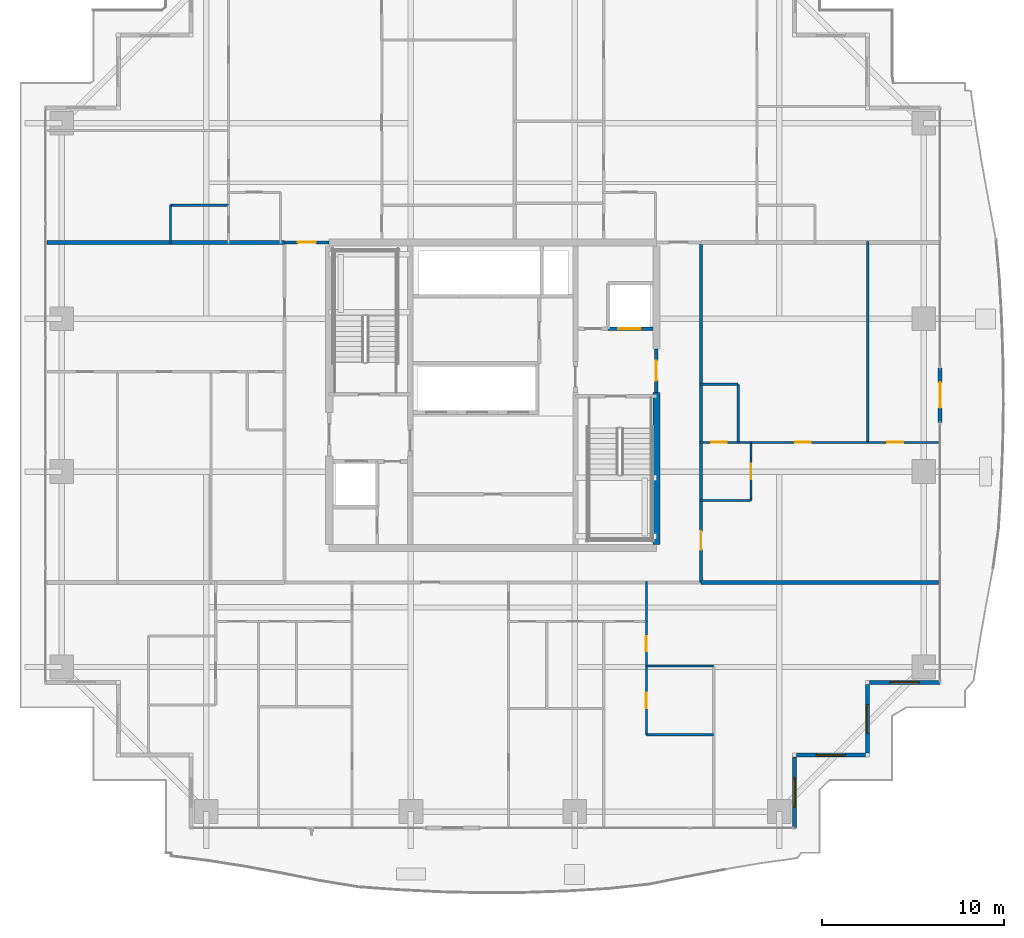
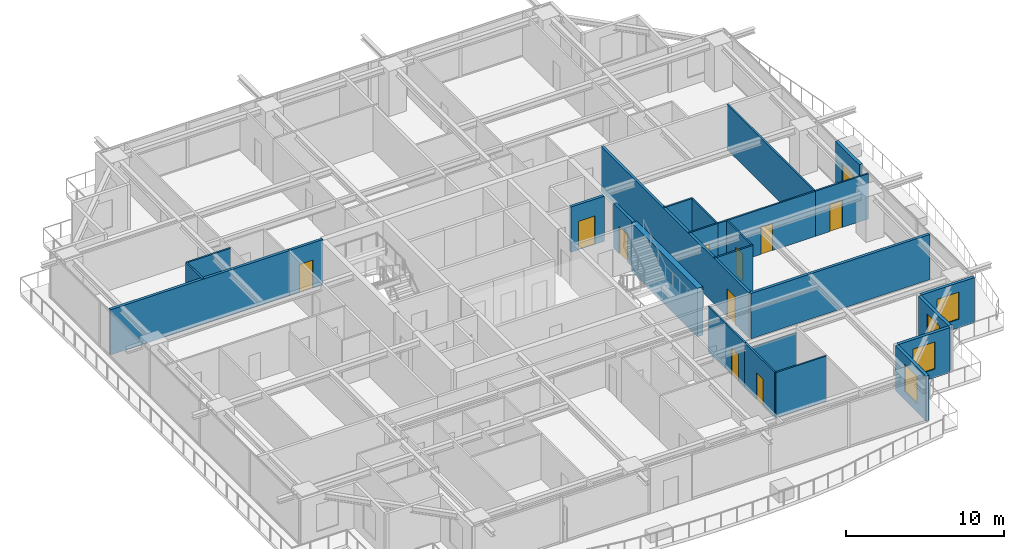
# One storey, part 28 of 36: 27 walls, 11 doors, 4 windows, 15 openings.
"""IFC4 building model written with IfcOpenShell, lengths in metres."""

from ifc_helpers import new_model, si_unit, direction, frame, frame_2d, origin, place, context, subcontext, project, spatial, rectangle, extrude, source, transform, mapped, material, layer, layer_set, type_object, element, fill, save


model = new_model("IFC4")

# Units and contexts
model_context = context("Model", 3, precision=1e-05, world=origin(), true_north=direction((0.0, 1.0)))
body_context = subcontext(model_context, "Body", "Model", "MODEL_VIEW")
ifc_project = project(units=[si_unit("LENGTHUNIT", "METRE"), si_unit("AREAUNIT", "SQUARE_METRE"), si_unit("VOLUMEUNIT", "CUBIC_METRE"), si_unit("PLANEANGLEUNIT", "RADIAN"), si_unit("MASSUNIT", "GRAM", prefix="KILO")], contexts=[model_context])

# Site, building, storey
site_placement = place(None, origin())
site = spatial("IfcSite", under=ifc_project, at=site_placement, CompositionType="ELEMENT")
building_placement = place(site_placement, origin())
building = spatial("IfcBuilding", under=site, at=building_placement, Name="Serunith Strait Residences", CompositionType="ELEMENT")
storey_placement = place(building_placement, frame((0.0, 0.0, 146.39990234375)))
storey = spatial("IfcBuildingStorey", under=building, at=storey_placement, Name="L36", CompositionType="ELEMENT", Elevation=146.39990234375)

# Wall, opening, window
ifc_material_1 = material(Name="Pale-Champagne Aluminium Insulated Panel", Category="aluminium")
ifc_layer_1 = layer(ifc_material_1, 0.219970703125, Name="Pale-Champagne Aluminium Insulated Panel")
ifc_layer_set_1 = layer_set([ifc_layer_1], Name="Pale-Champagne Aluminium Insulated Panel")
wall_type_1 = type_object("IfcWallType", Name="EW-ALUM-220", PredefinedType="ELEMENTEDWALL", material=ifc_layer_set_1)
wall_1_placement = place(storey_placement, frame((49.0, 1.39990234375, 0.0), z_axis=(0.0, 0.0, 1.0), x_axis=(0.0, 1.0, 0.0)))
wall_1 = element("IfcWall", 1, at=wall_1_placement, inside=storey, type_object=wall_type_1, Name="L36 Girih Serrated Corner Wall 02", PredefinedType="ELEMENTEDWALL", context=body_context, shape_type="SweptSolid", body=[
    extrude(rectangle(XDim=3.89013671875, YDim=0.219970703125, at=frame_2d((1.945068359375, 0.0))), origin(), (0.0, 0.0, 1.0), 3.47509765625),
])
opening_1_placement = place(wall_1_placement, frame((1.14501953125, 0.0, 0.64990234375)))
opening_1 = element("IfcOpeningElement", 2, at=opening_1_placement, cuts=wall_1, Name="Opening W-02", PredefinedType="OPENING", context=body_context, shape_type="SweptSolid", body=[
    extrude(rectangle(XDim=1.60009765625, YDim=2.10009765625, at=frame_2d((0.800048828125, 1.050048828125))), frame((0.0, 0.1201171875, 0.0), z_axis=(0.0, -1.0, 0.0), x_axis=(1.0, 0.0, 0.0)), (0.0, 0.0, 1.0), 0.239990234375),
])
ifc_material_2 = material(Name="Ceramic-Fritted Operable Aluminium Window Glass", Category="aluminium")
window_type = type_object("IfcWindowType", Name="WIN-C2", PartitioningType="DOUBLE_PANEL_VERTICAL", PredefinedType="WINDOW", material=ifc_material_2)
shared_shape_1 = source(origin(), body_context, "Body", "SweptSolid", [
    extrude(rectangle(XDim=1.60009765625, YDim=2.10009765625, at=frame_2d((0.800048828125, 1.050048828125))), frame((0.0, 0.030029296875, 0.0), z_axis=(0.0, -1.0, 0.0), x_axis=(1.0, 0.0, 0.0)), (0.0, 0.0, 1.0), 0.06005859375),
])
window_1_placement = place(opening_1_placement, origin())
window_1 = element("IfcWindow", 3, at=window_1_placement, inside=storey, type_object=window_type, Name="L36 Corner Operable Fritted Window 02", OverallHeight=2.10009765625, OverallWidth=1.60009765625, PartitioningType="SINGLE_PANEL", PredefinedType="WINDOW", context=body_context, shape_type="MappedRepresentation", body=[
    mapped(shared_shape_1, transform((0.0, 0.0, 0.0), scale=1.0)),
])
fill(opening_1, window_1)

wall_2_placement = place(storey_placement, frame((49.110107421875, 5.39990234375, 0.0), z_axis=(0.0, 0.0, 1.0), x_axis=(1.0, 0.0, 0.0)))
wall_2 = element("IfcWall", 4, at=wall_2_placement, inside=storey, type_object=wall_type_1, Name="L36 Girih Serrated Corner Wall 03", PredefinedType="ELEMENTEDWALL", context=body_context, shape_type="SweptSolid", body=[
    extrude(rectangle(XDim=3.77978515625, YDim=0.219970703125, at=frame_2d((1.889892578125, 0.0))), origin(), (0.0, 0.0, 1.0), 3.47509765625),
])
opening_2_placement = place(wall_2_placement, frame((1.090087890625, 0.0, 0.64990234375)))
opening_2 = element("IfcOpeningElement", 5, at=opening_2_placement, cuts=wall_2, Name="Opening W-02", PredefinedType="OPENING", context=body_context, shape_type="SweptSolid", body=[
    extrude(rectangle(XDim=1.60009765625, YDim=2.10009765625, at=frame_2d((0.800048828125, 1.050048828125))), frame((0.0, 0.1201171875, 0.0), z_axis=(0.0, -1.0, 0.0), x_axis=(1.0, 0.0, 0.0)), (0.0, 0.0, 1.0), 0.239990234375),
])
window_2_placement = place(opening_2_placement, origin())
window_2 = element("IfcWindow", 6, at=window_2_placement, inside=storey, type_object=window_type, Name="L36 Corner Operable Fritted Window 03", OverallHeight=2.10009765625, OverallWidth=1.60009765625, PartitioningType="SINGLE_PANEL", PredefinedType="WINDOW", context=body_context, shape_type="MappedRepresentation", body=[
    mapped(shared_shape_1, transform((0.0, 0.0, 0.0), scale=1.0)),
])
fill(opening_2, window_2)

wall_3_placement = place(storey_placement, frame((53.0, 5.510009765625, 0.0), z_axis=(0.0, 0.0, 1.0), x_axis=(0.0, 1.0, 0.0)))
wall_3 = element("IfcWall", 7, at=wall_3_placement, inside=storey, type_object=wall_type_1, Name="L36 Girih Serrated Corner Wall 04", PredefinedType="ELEMENTEDWALL", context=body_context, shape_type="SweptSolid", body=[
    extrude(rectangle(XDim=3.780029296875, YDim=0.219970703125, at=frame_2d((1.89013671875, 0.0))), origin(), (0.0, 0.0, 1.0), 3.47509765625),
])
opening_3_placement = place(wall_3_placement, frame((1.090087890625, 0.0, 0.64990234375)))
opening_3 = element("IfcOpeningElement", 8, at=opening_3_placement, cuts=wall_3, Name="Opening W-02", PredefinedType="OPENING", context=body_context, shape_type="SweptSolid", body=[
    extrude(rectangle(XDim=1.60009765625, YDim=2.10009765625, at=frame_2d((0.800048828125, 1.050048828125))), frame((0.0, 0.1201171875, 0.0), z_axis=(0.0, -1.0, 0.0), x_axis=(1.0, 0.0, 0.0)), (0.0, 0.0, 1.0), 0.239990234375),
])
window_3_placement = place(opening_3_placement, origin())
window_3 = element("IfcWindow", 9, at=window_3_placement, inside=storey, type_object=window_type, Name="L36 Corner Operable Fritted Window 04", OverallHeight=2.10009765625, OverallWidth=1.60009765625, PartitioningType="SINGLE_PANEL", PredefinedType="WINDOW", context=body_context, shape_type="MappedRepresentation", body=[
    mapped(shared_shape_1, transform((0.0, 0.0, 0.0), scale=1.0)),
])
fill(opening_3, window_3)

wall_4_placement = place(storey_placement, frame((53.110107421875, 9.39990234375, 0.0), z_axis=(0.0, 0.0, 1.0), x_axis=(1.0, 0.0, 0.0)))
wall_4 = element("IfcWall", 10, at=wall_4_placement, inside=storey, type_object=wall_type_1, Name="L36 Girih Serrated Corner Wall 05", PredefinedType="ELEMENTEDWALL", context=body_context, shape_type="SweptSolid", body=[
    extrude(rectangle(XDim=3.889892578125, YDim=0.219970703125, at=frame_2d((1.94482421875, 0.0))), origin(), (0.0, 0.0, 1.0), 3.47509765625),
])
opening_4_placement = place(wall_4_placement, frame((1.14501953125, 0.0, 0.64990234375)))
opening_4 = element("IfcOpeningElement", 11, at=opening_4_placement, cuts=wall_4, Name="Opening W-02", PredefinedType="OPENING", context=body_context, shape_type="SweptSolid", body=[
    extrude(rectangle(XDim=1.60009765625, YDim=2.10009765625, at=frame_2d((0.800048828125, 1.050048828125))), frame((0.0, 0.1201171875, 0.0), z_axis=(0.0, -1.0, 0.0), x_axis=(1.0, 0.0, 0.0)), (0.0, 0.0, 1.0), 0.239990234375),
])
window_4_placement = place(opening_4_placement, origin())
window_4 = element("IfcWindow", 12, at=window_4_placement, inside=storey, type_object=window_type, Name="L36 Corner Operable Fritted Window 05", OverallHeight=2.10009765625, OverallWidth=1.60009765625, PartitioningType="SINGLE_PANEL", PredefinedType="WINDOW", context=body_context, shape_type="MappedRepresentation", body=[
    mapped(shared_shape_1, transform((0.0, 0.0, 0.0), scale=1.0)),
])
fill(opening_4, window_4)

# Wall, opening, door
wall_5_placement = place(storey_placement, frame((57.0, 23.699951171875, 0.0), z_axis=(0.0, 0.0, 1.0), x_axis=(0.0, 1.0, 0.0)))
wall_5 = element("IfcWall", 13, at=wall_5_placement, inside=storey, type_object=wall_type_1, Name="L36 E Facade Pier Wall", PredefinedType="ELEMENTEDWALL", context=body_context, shape_type="SweptSolid", body=[
    extrude(rectangle(XDim=3.0, YDim=0.219970703125, at=frame_2d((1.5, 0.0))), origin(), (0.0, 0.0, 1.0), 3.47509765625),
])
opening_5_placement = place(wall_5_placement, frame((0.800048828125, 0.0, 0.0)))
opening_5 = element("IfcOpeningElement", 14, at=opening_5_placement, cuts=wall_5, Name="Opening ED-04", PredefinedType="OPENING", context=body_context, shape_type="SweptSolid", body=[
    extrude(rectangle(XDim=1.39990234375, YDim=2.25, at=frame_2d((0.699951171875, 1.125))), frame((0.0, 0.1201171875, 0.0), z_axis=(0.0, -1.0, 0.0), x_axis=(1.0, 0.0, 0.0)), (0.0, 0.0, 1.0), 0.239990234375),
])
ifc_material_3 = material(Name="Thermally-Broken Aluminium Sliding Balcony Door", Category="aluminium")
door_type_1 = type_object("IfcDoorType", Name="ED-BALC-1400", OperationType="NOTDEFINED", PredefinedType="DOOR", material=ifc_material_3)
shared_shape_2 = source(origin(), body_context, "Body", "SweptSolid", [
    extrude(rectangle(XDim=1.39990234375, YDim=2.25, at=frame_2d((0.699951171875, 1.125))), frame((0.0, 0.02490234375, 0.0), z_axis=(0.0, -1.0, 0.0), x_axis=(1.0, 0.0, 0.0)), (0.0, 0.0, 1.0), 0.050048828125),
])
door_1_placement = place(opening_5_placement, origin())
door_1 = element("IfcDoor", 15, at=door_1_placement, inside=storey, type_object=door_type_1, Name="L36 E Vertical-Forest Balcony Door", OperationType="SLIDING_TO_LEFT", OverallHeight=2.25, OverallWidth=1.39990234375, PredefinedType="DOOR", context=body_context, shape_type="MappedRepresentation", body=[
    mapped(shared_shape_2, transform((0.0, 0.0, 0.0), scale=1.0)),
])
fill(opening_5, door_1)

ifc_material_4 = material(Name="Fire-rated acoustic gypsum partition")
ifc_layer_2 = layer(ifc_material_4, 0.179931640625, Name="Fire-rated acoustic gypsum partition")
ifc_layer_set_2 = layer_set([ifc_layer_2], Name="Fire-rated acoustic gypsum partition")
wall_type_2 = type_object("IfcWallType", Name="IW-CORR-180", PredefinedType="PARTITIONING", material=ifc_layer_set_2)
wall_6_placement = place(storey_placement, frame((43.85009765625, 14.89990234375, 0.0), z_axis=(0.0, 0.0, 1.0), x_axis=(0.0, 1.0, 0.0)))
wall_6 = element("IfcWall", 16, at=wall_6_placement, inside=storey, type_object=wall_type_2, Name="L36 Partition Wall 022", PredefinedType="PARTITIONING", context=body_context, shape_type="SweptSolid", body=[
    extrude(rectangle(XDim=18.7001953125, YDim=0.179931640625, at=frame_2d((9.35009765625, 0.0))), origin(), (0.0, 0.0, 1.0), 3.489990234375),
])
opening_6_placement = place(wall_6_placement, frame((1.804931640625, 0.0, 0.0)))
opening_6 = element("IfcOpeningElement", 17, at=opening_6_placement, cuts=wall_6, Name="Opening D-APT1000", PredefinedType="OPENING", context=body_context, shape_type="SweptSolid", body=[
    extrude(rectangle(XDim=1.0, YDim=2.14990234375, at=frame_2d((0.5, 1.074951171875))), frame((0.0, 0.10009765625, 0.0), z_axis=(0.0, -1.0, 0.0), x_axis=(1.0, 0.0, 0.0)), (0.0, 0.0, 1.0), 0.199951171875),
])
ifc_material_5 = material(Name="Solid timber engineered fire door", Category="wood")
door_type_2 = type_object("IfcDoorType", Name="ID-APT-1000", OperationType="NOTDEFINED", PredefinedType="DOOR", material=ifc_material_5)
shared_shape_3 = source(origin(), body_context, "Body", "SweptSolid", [
    extrude(rectangle(XDim=1.0, YDim=2.14990234375, at=frame_2d((0.5, 1.074951171875))), frame((0.0, 0.02490234375, 0.0), z_axis=(0.0, -1.0, 0.0), x_axis=(1.0, 0.0, 0.0)), (0.0, 0.0, 1.0), 0.050048828125),
])
door_2_placement = place(opening_6_placement, origin())
door_2 = element("IfcDoor", 18, at=door_2_placement, inside=storey, type_object=door_type_2, Name="L36 Unit 05 Entrance Door", OperationType="SINGLE_SWING_LEFT", OverallHeight=2.14990234375, OverallWidth=1.0, PredefinedType="DOOR", context=body_context, shape_type="MappedRepresentation", body=[
    mapped(shared_shape_3, transform((0.0, 0.0, 0.0), scale=1.0)),
])
fill(opening_6, door_2)

wall_7_placement = place(storey_placement, frame((20.951904296875, 33.60009765625, 0.0), z_axis=(0.0, 0.0, 1.0), x_axis=(1.0, 0.0, 0.0)))
wall_7 = element("IfcWall", 19, at=wall_7_placement, inside=storey, type_object=wall_type_2, Name="L36 Partition Wall 023", PredefinedType="PARTITIONING", context=body_context, shape_type="SweptSolid", body=[
    extrude(rectangle(XDim=2.446044921875, YDim=0.179931640625, at=frame_2d((1.22314453125, 0.0))), origin(), (0.0, 0.0, 1.0), 3.489990234375),
])
opening_7_placement = place(wall_7_placement, frame((0.722900390625, 0.0, 0.0)))
opening_7 = element("IfcOpeningElement", 20, at=opening_7_placement, cuts=wall_7, Name="Opening D-APT1000", PredefinedType="OPENING", context=body_context, shape_type="SweptSolid", body=[
    extrude(rectangle(XDim=1.0, YDim=2.14990234375, at=frame_2d((0.5, 1.074951171875))), frame((0.0, 0.10009765625, 0.0), z_axis=(0.0, -1.0, 0.0), x_axis=(1.0, 0.0, 0.0)), (0.0, 0.0, 1.0), 0.199951171875),
])
door_3_placement = place(opening_7_placement, origin())
door_3 = element("IfcDoor", 21, at=door_3_placement, inside=storey, type_object=door_type_2, Name="L36 Unit 02 Entrance Door", OperationType="SINGLE_SWING_RIGHT", OverallHeight=2.14990234375, OverallWidth=1.0, PredefinedType="DOOR", context=body_context, shape_type="MappedRepresentation", body=[
    mapped(shared_shape_3, transform((0.0, 0.0, 0.0), scale=1.0)),
])
fill(opening_7, door_3)

# Walls
ifc_material_6 = material(Name="Lightweight steel-stud gypsum partition", Category="steel")
ifc_layer_3 = layer(ifc_material_6, 0.1201171875, Name="Lightweight steel-stud gypsum partition")
ifc_layer_set_3 = layer_set([ifc_layer_3], Name="Lightweight steel-stud gypsum partition")
wall_type_3 = type_object("IfcWallType", Name="IW-PART-120", PredefinedType="PARTITIONING", material=ifc_layer_set_3)
wall_8_placement = place(storey_placement, frame((40.85009765625, 6.51904296875, 0.0), z_axis=(0.0, 0.0, 1.0), x_axis=(1.0, 0.0, 0.0)))
element("IfcWall", 22, at=wall_8_placement, inside=storey, type_object=wall_type_3, Name="L36 Partition Wall 049", PredefinedType="PARTITIONING", context=body_context, shape_type="SweptSolid", body=[
    extrude(rectangle(XDim=3.699951171875, YDim=0.1201171875, at=frame_2d((1.85009765625, 0.0))), origin(), (0.0, 0.0, 1.0), 3.489990234375),
])
wall_9_placement = place(storey_placement, frame((40.85009765625, 10.302978515625, 0.0), z_axis=(0.0, 0.0, 1.0), x_axis=(1.0, 0.0, 0.0)))
element("IfcWall", 23, at=wall_9_placement, inside=storey, type_object=wall_type_3, Name="L36 Partition Wall 051", PredefinedType="PARTITIONING", context=body_context, shape_type="SweptSolid", body=[
    extrude(rectangle(XDim=3.699951171875, YDim=0.1201171875, at=frame_2d((1.85009765625, 0.0))), origin(), (0.0, 0.0, 1.0), 2.97216796875),
])

# Wall, opening, door
wall_10_placement = place(storey_placement, frame((40.85009765625, 6.51904296875, 0.0), z_axis=(0.0, 0.0, 1.0), x_axis=(0.0, 1.0, 0.0)))
wall_10 = element("IfcWall", 24, at=wall_10_placement, inside=storey, type_object=wall_type_3, Name="L36 Partition Wall 052", PredefinedType="PARTITIONING", context=body_context, shape_type="SweptSolid", body=[
    extrude(rectangle(XDim=3.783935546875, YDim=0.1201171875, at=frame_2d((1.89208984375, 0.0))), origin(), (0.0, 0.0, 1.0), 3.489990234375),
])
opening_8_placement = place(wall_10_placement, frame((1.467041015625, 0.0, 0.0)))
opening_8 = element("IfcOpeningElement", 25, at=opening_8_placement, cuts=wall_10, Name="Opening D-BTH850", PredefinedType="OPENING", context=body_context, shape_type="SweptSolid", body=[
    extrude(rectangle(XDim=0.85009765625, YDim=2.10009765625, at=frame_2d((0.425048828125, 1.050048828125))), frame((0.0, 0.070068359375, 0.0), z_axis=(0.0, -1.0, 0.0), x_axis=(1.0, 0.0, 0.0)), (0.0, 0.0, 1.0), 0.14013671875),
])
ifc_material_7 = material(Name="Moisture-resistant timber bathroom door", Category="wood")
door_type_3 = type_object("IfcDoorType", Name="ID-BATH-850", OperationType="NOTDEFINED", PredefinedType="DOOR", material=ifc_material_7)
shared_shape_4 = source(origin(), body_context, "Body", "SweptSolid", [
    extrude(rectangle(XDim=0.85009765625, YDim=2.10009765625, at=frame_2d((0.425048828125, 1.050048828125))), frame((0.0, 0.02490234375, 0.0), z_axis=(0.0, -1.0, 0.0), x_axis=(1.0, 0.0, 0.0)), (0.0, 0.0, 1.0), 0.050048828125),
])
door_4_placement = place(opening_8_placement, origin())
door_4 = element("IfcDoor", 26, at=door_4_placement, inside=storey, type_object=door_type_3, Name="L36 En-suite Bathroom E 3601 Door", OperationType="SINGLE_SWING_RIGHT", OverallHeight=2.10009765625, OverallWidth=0.85009765625, PredefinedType="DOOR", context=body_context, shape_type="MappedRepresentation", body=[
    mapped(shared_shape_4, transform((0.0, 0.0, 0.0), scale=1.0)),
])
fill(opening_8, door_4)

wall_11_placement = place(storey_placement, frame((40.85009765625, 10.304931640625, 0.0), z_axis=(0.0, 0.0, 1.0), x_axis=(0.0, 1.0, 0.0)))
wall_11 = element("IfcWall", 27, at=wall_11_placement, inside=storey, type_object=wall_type_3, Name="L36 Partition Wall 053", PredefinedType="PARTITIONING", context=body_context, shape_type="SweptSolid", body=[
    extrude(rectangle(XDim=2.445068359375, YDim=0.1201171875, at=frame_2d((1.22265625, 0.0))), origin(), (0.0, 0.0, 1.0), 3.489990234375),
])
opening_9_placement = place(wall_11_placement, frame((0.798095703125, 0.0, 0.0)))
opening_9 = element("IfcOpeningElement", 28, at=opening_9_placement, cuts=wall_11, Name="Opening D-RM850", PredefinedType="OPENING", context=body_context, shape_type="SweptSolid", body=[
    extrude(rectangle(XDim=0.85009765625, YDim=2.10009765625, at=frame_2d((0.425048828125, 1.050048828125))), frame((0.0, 0.070068359375, 0.0), z_axis=(0.0, -1.0, 0.0), x_axis=(1.0, 0.0, 0.0)), (0.0, 0.0, 1.0), 0.14013671875),
])
ifc_material_8 = material(Name="Engineered timber flush study and kitchen door", Category="wood")
door_type_4 = type_object("IfcDoorType", Name="ID-ROOM-850", OperationType="NOTDEFINED", PredefinedType="DOOR", material=ifc_material_8)
door_5_placement = place(opening_9_placement, origin())
door_5 = element("IfcDoor", 29, at=door_5_placement, inside=storey, type_object=door_type_4, Name="L36 Wardrobe E 3601 Door", OperationType="SINGLE_SWING_LEFT", OverallHeight=2.10009765625, OverallWidth=0.85009765625, PredefinedType="DOOR", context=body_context, shape_type="MappedRepresentation", body=[
    mapped(shared_shape_4, transform((0.0, 0.0, 0.0), scale=1.0)),
])
fill(opening_9, door_5)

# Walls
wall_12_placement = place(storey_placement, frame((40.85009765625, 12.751953125, 0.0), z_axis=(0.0, 0.0, 1.0), x_axis=(0.0, 1.0, 0.0)))
element("IfcWall", 30, at=wall_12_placement, inside=storey, type_object=wall_type_3, Name="L36 Partition Wall 054", PredefinedType="PARTITIONING", context=body_context, shape_type="SweptSolid", body=[
    extrude(rectangle(XDim=2.2080078125, YDim=0.1201171875, at=frame_2d((1.10400390625, 0.0))), origin(), (0.0, 0.0, 1.0), 3.489990234375),
])
wall_13_placement = place(storey_placement, frame((14.669921875, 35.64990234375, 0.0), z_axis=(0.0, 0.0, 1.0), x_axis=(1.0, 0.0, 0.0)))
element("IfcWall", 31, at=wall_13_placement, inside=storey, type_object=wall_type_3, Name="L36 Partition Wall 059", PredefinedType="PARTITIONING", context=body_context, shape_type="SweptSolid", body=[
    extrude(rectangle(XDim=3.2001953125, YDim=0.1201171875, at=frame_2d((1.60009765625, 0.0))), origin(), (0.0, 0.0, 1.0), 3.489990234375),
])
wall_14_placement = place(storey_placement, frame((14.669921875, 35.64990234375, 0.0), z_axis=(0.0, 0.0, 1.0), x_axis=(0.0, -1.0, 0.0)))
element("IfcWall", 32, at=wall_14_placement, inside=storey, type_object=wall_type_3, Name="L36 Partition Wall 060", PredefinedType="PARTITIONING", context=body_context, shape_type="SweptSolid", body=[
    extrude(rectangle(XDim=2.10986328125, YDim=0.1201171875, at=frame_2d((1.054931640625, 0.0))), origin(), (0.0, 0.0, 1.0), 3.489990234375),
])

# Wall, opening, door
wall_15_placement = place(storey_placement, frame((46.60009765625, 19.39990234375, 0.0), z_axis=(0.0, 0.0, 1.0), x_axis=(0.0, 1.0, 0.0)))
wall_15 = element("IfcWall", 33, at=wall_15_placement, inside=storey, type_object=wall_type_3, Name="L36 Partition Wall 089", PredefinedType="PARTITIONING", context=body_context, shape_type="SweptSolid", body=[
    extrude(rectangle(XDim=3.2001953125, YDim=0.1201171875, at=frame_2d((1.60009765625, 0.0))), origin(), (0.0, 0.0, 1.0), 3.489990234375),
])
opening_10_placement = place(wall_15_placement, frame((1.175048828125, 0.0, 0.0)))
opening_10 = element("IfcOpeningElement", 34, at=opening_10_placement, cuts=wall_15, Name="Opening D-RM850", PredefinedType="OPENING", context=body_context, shape_type="SweptSolid", body=[
    extrude(rectangle(XDim=0.85009765625, YDim=2.10009765625, at=frame_2d((0.425048828125, 1.050048828125))), frame((0.0, 0.070068359375, 0.0), z_axis=(0.0, -1.0, 0.0), x_axis=(1.0, 0.0, 0.0)), (0.0, 0.0, 1.0), 0.14013671875),
])
door_6_placement = place(opening_10_placement, origin())
door_6 = element("IfcDoor", 35, at=door_6_placement, inside=storey, type_object=door_type_4, Name="L36 Kitchen 3605 Door", OperationType="SINGLE_SWING_RIGHT", OverallHeight=2.10009765625, OverallWidth=0.85009765625, PredefinedType="DOOR", context=body_context, shape_type="MappedRepresentation", body=[
    mapped(shared_shape_4, transform((0.0, 0.0, 0.0), scale=1.0)),
])
fill(opening_10, door_6)

# Wall
wall_16_placement = place(storey_placement, frame((46.60009765625, 19.39990234375, 0.0), z_axis=(0.0, 0.0, 1.0), x_axis=(-1.0, 0.0, 0.0)))
element("IfcWall", 36, at=wall_16_placement, inside=storey, type_object=wall_type_3, Name="L36 Partition Wall 090", PredefinedType="PARTITIONING", context=body_context, shape_type="SweptSolid", body=[
    extrude(rectangle(XDim=2.81005859375, YDim=0.1201171875, at=frame_2d((1.405029296875, 0.0))), origin(), (0.0, 0.0, 1.0), 3.489990234375),
])

# Wall, opening, door
wall_17_placement = place(storey_placement, frame((56.905029296875, 22.60009765625, 0.0), z_axis=(0.0, 0.0, 1.0), x_axis=(-1.0, 0.0, 0.0)))
wall_17 = element("IfcWall", 37, at=wall_17_placement, inside=storey, type_object=wall_type_3, Name="L36 Partition Wall 091", PredefinedType="PARTITIONING", context=body_context, shape_type="SweptSolid", body=[
    extrude(rectangle(XDim=3.879150390625, YDim=0.1201171875, at=frame_2d((1.939453125, 0.0))), origin(), (0.0, 0.0, 1.0), 3.489990234375),
])
opening_11_placement = place(wall_17_placement, frame((1.91796875, 0.0, 0.0)))
opening_11 = element("IfcOpeningElement", 38, at=opening_11_placement, cuts=wall_17, Name="Opening D-RM900", PredefinedType="OPENING", context=body_context, shape_type="SweptSolid", body=[
    extrude(rectangle(XDim=0.89990234375, YDim=2.10009765625, at=frame_2d((0.449951171875, 1.050048828125))), frame((0.0, 0.070068359375, 0.0), z_axis=(0.0, -1.0, 0.0), x_axis=(1.0, 0.0, 0.0)), (0.0, 0.0, 1.0), 0.14013671875),
])
ifc_material_9 = material(Name="Engineered timber flush bedroom door", Category="wood")
door_type_5 = type_object("IfcDoorType", Name="ID-ROOM-900", OperationType="NOTDEFINED", PredefinedType="DOOR", material=ifc_material_9)
shared_shape_5 = source(origin(), body_context, "Body", "SweptSolid", [
    extrude(rectangle(XDim=0.89990234375, YDim=2.10009765625, at=frame_2d((0.449951171875, 1.050048828125))), frame((0.0, 0.02490234375, 0.0), z_axis=(0.0, -1.0, 0.0), x_axis=(1.0, 0.0, 0.0)), (0.0, 0.0, 1.0), 0.050048828125),
])
door_7_placement = place(opening_11_placement, origin())
door_7 = element("IfcDoor", 39, at=door_7_placement, inside=storey, type_object=door_type_5, Name="L36 Master Bedroom 1 3605 Door", OperationType="SINGLE_SWING_LEFT", OverallHeight=2.10009765625, OverallWidth=0.89990234375, PredefinedType="DOOR", context=body_context, shape_type="MappedRepresentation", body=[
    mapped(shared_shape_5, transform((0.0, 0.0, 0.0), scale=1.0)),
])
fill(opening_11, door_7)

# Walls
wall_18_placement = place(storey_placement, frame((53.02587890625, 22.60009765625, 0.0), z_axis=(0.0, 0.0, 1.0), x_axis=(0.0, 1.0, 0.0)))
element("IfcWall", 40, at=wall_18_placement, inside=storey, type_object=wall_type_3, Name="L36 Partition Wall 092", PredefinedType="PARTITIONING", context=body_context, shape_type="SweptSolid", body=[
    extrude(rectangle(XDim=11.059814453125, YDim=0.1201171875, at=frame_2d((5.52978515625, 0.0))), origin(), (0.0, 0.0, 1.0), 3.489990234375),
])
wall_19_placement = place(storey_placement, frame((45.89990234375, 22.60009765625, 0.0), z_axis=(0.0, 0.0, 1.0), x_axis=(0.0, 1.0, 0.0)))
element("IfcWall", 41, at=wall_19_placement, inside=storey, type_object=wall_type_3, Name="L36 Partition Wall 093", PredefinedType="PARTITIONING", context=body_context, shape_type="SweptSolid", body=[
    extrude(rectangle(XDim=3.199951171875, YDim=0.1201171875, at=frame_2d((1.60009765625, 0.0))), origin(), (0.0, 0.0, 1.0), 3.489990234375),
])
wall_20_placement = place(storey_placement, frame((45.89990234375, 25.800048828125, 0.0), z_axis=(0.0, 0.0, 1.0), x_axis=(-1.0, 0.0, 0.0)))
element("IfcWall", 42, at=wall_20_placement, inside=storey, type_object=wall_type_3, Name="L36 Partition Wall 094", PredefinedType="PARTITIONING", context=body_context, shape_type="SweptSolid", body=[
    extrude(rectangle(XDim=2.10986328125, YDim=0.1201171875, at=frame_2d((1.054931640625, 0.0))), origin(), (0.0, 0.0, 1.0), 3.489990234375),
])

# Wall, opening, door
wall_21_placement = place(storey_placement, frame((53.02392578125, 22.60009765625, 0.0), z_axis=(0.0, 0.0, 1.0), x_axis=(-1.0, 0.0, 0.0)))
wall_21 = element("IfcWall", 43, at=wall_21_placement, inside=storey, type_object=wall_type_3, Name="L36 Partition Wall 095", PredefinedType="PARTITIONING", context=body_context, shape_type="SweptSolid", body=[
    extrude(rectangle(XDim=7.1240234375, YDim=0.1201171875, at=frame_2d((3.56201171875, 0.0))), origin(), (0.0, 0.0, 1.0), 3.489990234375),
])
opening_12_placement = place(wall_21_placement, frame((3.136962890625, 0.0, 0.0)))
opening_12 = element("IfcOpeningElement", 44, at=opening_12_placement, cuts=wall_21, Name="Opening D-RM850", PredefinedType="OPENING", context=body_context, shape_type="SweptSolid", body=[
    extrude(rectangle(XDim=0.85009765625, YDim=2.10009765625, at=frame_2d((0.425048828125, 1.050048828125))), frame((0.0, 0.070068359375, 0.0), z_axis=(0.0, -1.0, 0.0), x_axis=(1.0, 0.0, 0.0)), (0.0, 0.0, 1.0), 0.14013671875),
])
door_8_placement = place(opening_12_placement, origin())
door_8 = element("IfcDoor", 45, at=door_8_placement, inside=storey, type_object=door_type_4, Name="L36 Walk-in Wardrobe 3605 Door", OperationType="SINGLE_SWING_RIGHT", OverallHeight=2.10009765625, OverallWidth=0.85009765625, PredefinedType="DOOR", context=body_context, shape_type="MappedRepresentation", body=[
    mapped(shared_shape_4, transform((0.0, 0.0, 0.0), scale=1.0)),
])
fill(opening_12, door_8)

wall_22_placement = place(storey_placement, frame((45.89794921875, 22.60009765625, 0.0), z_axis=(0.0, 0.0, 1.0), x_axis=(-1.0, 0.0, 0.0)))
wall_22 = element("IfcWall", 46, at=wall_22_placement, inside=storey, type_object=wall_type_3, Name="L36 Partition Wall 096", PredefinedType="PARTITIONING", context=body_context, shape_type="SweptSolid", body=[
    extrude(rectangle(XDim=2.10791015625, YDim=0.1201171875, at=frame_2d((1.053955078125, 0.0))), origin(), (0.0, 0.0, 1.0), 3.489990234375),
])
opening_13_placement = place(wall_22_placement, frame((0.62890625, 0.0, 0.0)))
opening_13 = element("IfcOpeningElement", 47, at=opening_13_placement, cuts=wall_22, Name="Opening D-BTH850", PredefinedType="OPENING", context=body_context, shape_type="SweptSolid", body=[
    extrude(rectangle(XDim=0.85009765625, YDim=2.10009765625, at=frame_2d((0.425048828125, 1.050048828125))), frame((0.0, 0.070068359375, 0.0), z_axis=(0.0, -1.0, 0.0), x_axis=(1.0, 0.0, 0.0)), (0.0, 0.0, 1.0), 0.14013671875),
])
door_9_placement = place(opening_13_placement, origin())
door_9 = element("IfcDoor", 48, at=door_9_placement, inside=storey, type_object=door_type_3, Name="L36 Bathroom 3605 Door", OperationType="SINGLE_SWING_LEFT", OverallHeight=2.10009765625, OverallWidth=0.85009765625, PredefinedType="DOOR", context=body_context, shape_type="MappedRepresentation", body=[
    mapped(shared_shape_4, transform((0.0, 0.0, 0.0), scale=1.0)),
])
fill(opening_13, door_9)

# Walls
ifc_material_10 = material(Name="Twin-stud acoustic gypsum board partition")
ifc_layer_4 = layer(ifc_material_10, 0.199951171875, Name="Twin-stud acoustic gypsum board partition")
ifc_layer_set_4 = layer_set([ifc_layer_4], Name="Twin-stud acoustic gypsum board partition")
wall_type_4 = type_object("IfcWallType", Name="IW-PARTY-200", PredefinedType="PARTITIONING", material=ifc_layer_set_4)
for number, where, z_axis, x_axis, name in (
    (49, (43.85009765625, 14.89990234375, 0.0), (0.0, 0.0, 1.0), (1.0, 0.0, 0.0), "L36 Partition Wall 017"),
    (50, (7.882080078125, 33.60009765625, 0.0), (0.0, 0.0, 1.0), (1.0, 0.0, 0.0), "L36 Partition Wall 018"),
):
    element("IfcWall", number, at=place(storey_placement, frame(where, z_axis=z_axis, x_axis=x_axis)), inside=storey, type_object=wall_type_4, Name=name, PredefinedType="PARTITIONING", context=body_context, shape_type="SweptSolid", body=[
        extrude(rectangle(XDim=13.06787109375, YDim=0.199951171875, at=frame_2d((6.533935546875, 0.0))), origin(), (0.0, 0.0, 1.0), 3.489990234375),
    ])

# Wall, opening, door
ifc_material_11 = material(Name="Autoclaved aerated concrete blockwork", Category="masonry")
ifc_layer_5 = layer(ifc_material_11, 0.199951171875, Name="Autoclaved aerated concrete blockwork")
ifc_layer_set_5 = layer_set([ifc_layer_5], Name="Autoclaved aerated concrete blockwork")
wall_type_5 = type_object("IfcWallType", Name="IW-SHAFT-200", PredefinedType="STANDARD", material=ifc_layer_set_5)
wall_23_placement = place(storey_placement, frame((38.75, 28.85009765625, 0.0), z_axis=(0.0, 0.0, 1.0), x_axis=(1.0, 0.0, 0.0)))
wall_23 = element("IfcWall", 51, at=wall_23_placement, inside=storey, type_object=wall_type_5, Name="L36 FL-2 South Shaft Wall", PredefinedType="STANDARD", context=body_context, shape_type="SweptSolid", body=[
    extrude(rectangle(XDim=2.449951171875, YDim=0.199951171875, at=frame_2d((1.22509765625, 0.0))), origin(), (0.0, 0.0, 1.0), 3.489990234375),
])
opening_14_placement = place(wall_23_placement, frame((0.550048828125, 0.0, 0.0)))
opening_14 = element("IfcOpeningElement", 52, at=opening_14_placement, cuts=wall_23, Name="Opening LD-FF1200", PredefinedType="OPENING", context=body_context, shape_type="SweptSolid", body=[
    extrude(rectangle(XDim=1.199951171875, YDim=2.199951171875, at=frame_2d((0.60009765625, 1.10009765625))), frame((0.0, 0.10986328125, 0.0), z_axis=(0.0, -1.0, 0.0), x_axis=(1.0, 0.0, 0.0)), (0.0, 0.0, 1.0), 0.219970703125),
])
ifc_material_12 = material(Name="Brushed stainless steel landing door", Category="steel")
door_type_6 = type_object("IfcDoorType", Name="LD-FF-1200", OperationType="DOUBLE_DOOR_SLIDING", PredefinedType="DOOR", material=ifc_material_12)
shared_shape_6 = source(origin(), body_context, "Body", "SweptSolid", [
    extrude(rectangle(XDim=1.199951171875, YDim=2.199951171875, at=frame_2d((0.60009765625, 1.10009765625))), frame((0.0, 0.02490234375, 0.0), z_axis=(0.0, -1.0, 0.0), x_axis=(1.0, 0.0, 0.0)), (0.0, 0.0, 1.0), 0.050048828125),
])
door_10_placement = place(opening_14_placement, origin())
door_10 = element("IfcDoor", 53, at=door_10_placement, inside=storey, type_object=door_type_6, Name="L36 FL-2 Landing Door", OperationType="DOUBLE_DOOR_SLIDING", OverallHeight=2.199951171875, OverallWidth=1.199951171875, PredefinedType="DOOR", context=body_context, shape_type="MappedRepresentation", body=[
    mapped(shared_shape_6, transform((0.0, 0.0, 0.0), scale=1.0)),
])
fill(opening_14, door_10)

wall_24_placement = place(storey_placement, frame((41.39990234375, 25.35205078125, 0.0), z_axis=(0.0, 0.0, 1.0), x_axis=(0.0, 1.0, 0.0)))
wall_24 = element("IfcWall", 54, at=wall_24_placement, inside=storey, type_object=wall_type_5, Name="L36 Partition Wall 008", PredefinedType="STANDARD", context=body_context, shape_type="SweptSolid", body=[
    extrude(rectangle(XDim=2.39599609375, YDim=0.199951171875, at=frame_2d((1.197998046875, 0.0))), origin(), (0.0, 0.0, 1.0), 3.489990234375),
])
opening_15_placement = place(wall_24_placement, frame((0.64794921875, 0.0, 0.0)))
opening_15 = element("IfcOpeningElement", 55, at=opening_15_placement, cuts=wall_24, Name="Opening FD-FFL", PredefinedType="OPENING", context=body_context, shape_type="SweptSolid", body=[
    extrude(rectangle(XDim=1.10009765625, YDim=2.14990234375, at=frame_2d((0.550048828125, 1.074951171875))), frame((0.0, 0.10986328125, 0.0), z_axis=(0.0, -1.0, 0.0), x_axis=(1.0, 0.0, 0.0)), (0.0, 0.0, 1.0), 0.219970703125),
])
ifc_material_13 = material(Name="Glazed steel smoke-lobby fire door", Category="steel")
door_type_7 = type_object("IfcDoorType", Name="FD-FFL-1100", OperationType="NOTDEFINED", PredefinedType="DOOR", material=ifc_material_13)
shared_shape_7 = source(origin(), body_context, "Body", "SweptSolid", [
    extrude(rectangle(XDim=1.10009765625, YDim=2.14990234375, at=frame_2d((0.550048828125, 1.074951171875))), frame((0.0, 0.02490234375, 0.0), z_axis=(0.0, -1.0, 0.0), x_axis=(1.0, 0.0, 0.0)), (0.0, 0.0, 1.0), 0.050048828125),
])
door_11_placement = place(opening_15_placement, origin())
door_11 = element("IfcDoor", 56, at=door_11_placement, inside=storey, type_object=door_type_7, Name="L36 FFL-2 Corridor Fire Door", OperationType="SINGLE_SWING_LEFT", OverallHeight=2.14990234375, OverallWidth=1.10009765625, PredefinedType="DOOR", context=body_context, shape_type="MappedRepresentation", body=[
    mapped(shared_shape_7, transform((0.0, 0.0, 0.0), scale=1.0)),
])
fill(opening_15, door_11)

# Wall
ifc_material_14 = material(Name="Concrete C70/85", Category="concrete")
ifc_layer_6 = layer(ifc_material_14, 0.39990234375, Name="Concrete C70/85")
ifc_layer_set_6 = layer_set([ifc_layer_6], Name="Concrete C70/85")
wall_type_6 = type_object("IfcWallType", Name="SW-400-C70", PredefinedType="SHEAR", material=ifc_layer_set_6)
wall_25_placement = place(storey_placement, frame((41.39990234375, 17.0, -0.260009765625), z_axis=(0.0, 0.0, 1.0), x_axis=(0.0, 1.0, 0.0)))
element("IfcWall", 57, at=wall_25_placement, inside=storey, type_object=wall_type_6, Name="L36 Core East Shear Wall South Pier", PredefinedType="SHEAR", context=body_context, shape_type="SweptSolid", body=[
    extrude(rectangle(XDim=8.35009765625, YDim=0.39990234375, at=frame_2d((4.175048828125, 0.0))), origin(), (0.0, 0.0, 1.0), 3.748046875),
])

save(model, "model.ifc")
